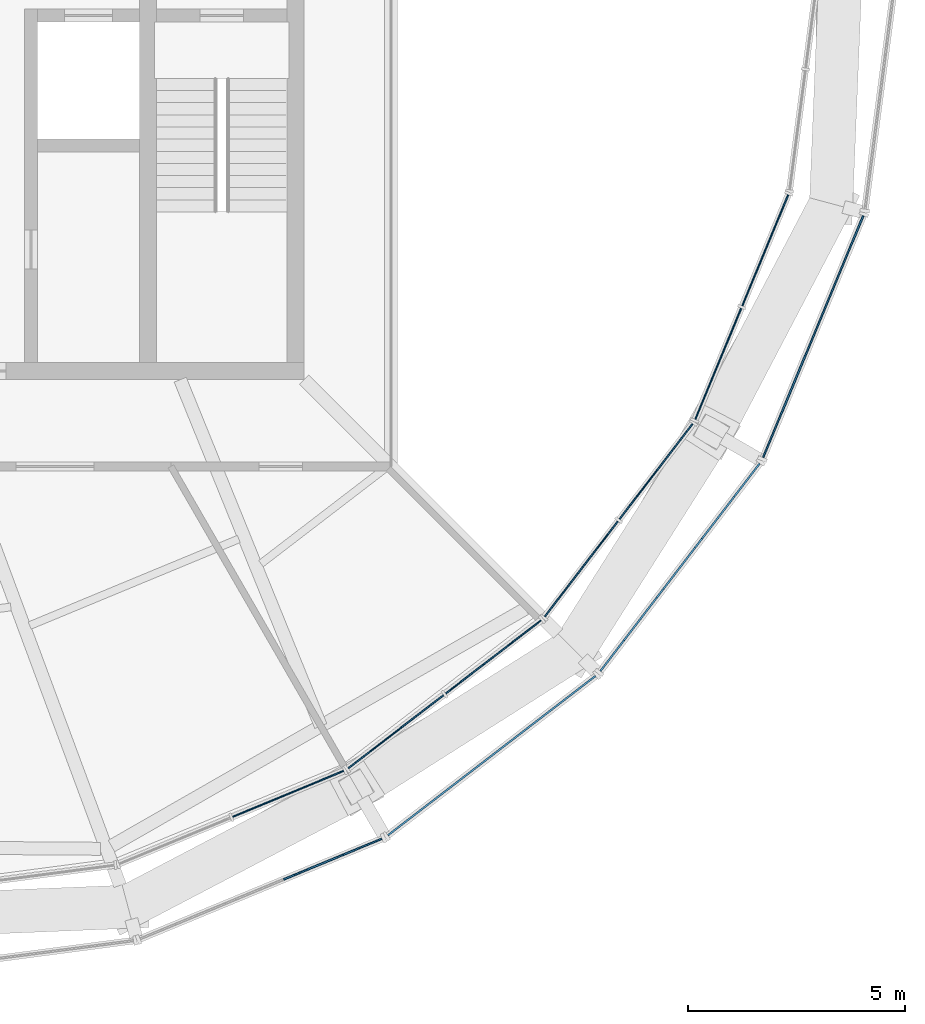
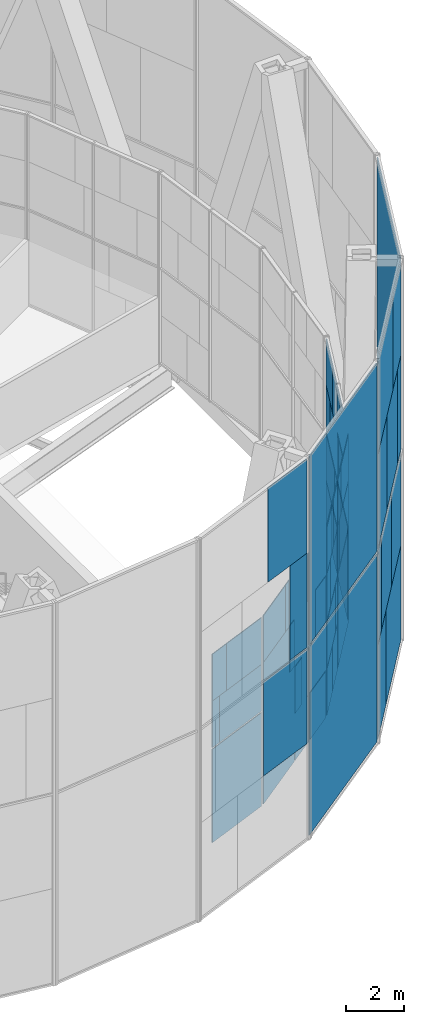
# One storey, part 14 of 22: 61 plates, 8 elements without a shape of their own.
"""IFC4 building model written with IfcOpenShell, lengths in metres."""

import ifcopenshell
import ifcopenshell.guid

model = None  # the IFC model being written
_history = None  # IfcOwnerHistory: only IFC2X3 demands one
_inside = {}  # id of a spatial element -> (the spatial element, [elements in it])
_under = {}  # id of a project, library or spatial element -> (it, [spatial elements below it])
_declared = {}  # id of a project -> (the project, [libraries it declares])
_typed = {}  # id of a type object -> (the type object, [elements of that type])
_made_of = {}  # id of a material, layer set ... -> (it, [elements and type objects made of it])


def new_model(schema):
    """Start an empty IFC model of exactly this schema.

    Asked for "IFC4X3", IfcOpenShell would pick the latest addendum, in which some entities
    have other attributes; the version numbers below select the first issue.
    IFC2X3 requires an IfcOwnerHistory on every rooted entity: one is made here for all.
    """
    global model, _history
    if schema == "IFC4X3":
        model = ifcopenshell.file(schema_version=(4, 3, 0, 0))
    else:
        model = ifcopenshell.file(schema=schema)
    _inside.clear()
    _under.clear()
    _declared.clear()
    _typed.clear()
    _made_of.clear()
    _history = None
    if model.schema == "IFC2X3":
        org = make("IfcOrganization", Name="unknown")
        user = make(
            "IfcPersonAndOrganization",
            ThePerson=make("IfcPerson", FamilyName="unknown"),
            TheOrganization=org,
        )
        app = make(
            "IfcApplication",
            ApplicationDeveloper=org,
            Version="unknown",
            ApplicationFullName="unknown",
            ApplicationIdentifier="unknown",
        )
        _history = make(
            "IfcOwnerHistory",
            OwningUser=user,
            OwningApplication=app,
            ChangeAction="ADDED",
            CreationDate=0,
        )
    return model


def make(cls, **values):
    """One entity of the class cls with the attributes given. An attribute that is None is left unset."""
    return model.create_entity(
        cls, **{name: value for name, value in values.items() if value is not None}
    )


def rooted(cls, **values):
    """An entity with a GlobalId (a new one), such as an element, a storey or a relation."""
    return make(cls, GlobalId=ifcopenshell.guid.new(), OwnerHistory=_history, **values)


def si_unit(unit_type, name, prefix=None):
    """IfcSIUnit, for example si_unit("LENGTHUNIT", "METRE", prefix="MILLI")."""
    return make("IfcSIUnit", UnitType=unit_type, Prefix=prefix, Name=name)


def assignment(units):
    """IfcUnitAssignment: the units of a project."""
    return None if units is None else make("IfcUnitAssignment", Units=units)


def point(xyz):
    """IfcCartesianPoint."""
    return None if xyz is None else make("IfcCartesianPoint", Coordinates=xyz)


def direction(xyz):
    """IfcDirection."""
    return None if xyz is None else make("IfcDirection", DirectionRatios=xyz)


def frame(location, z_axis=None, x_axis=None):
    """IfcAxis2Placement3D, a coordinate frame: its origin and axes. An axis left out is left unset."""
    return make(
        "IfcAxis2Placement3D",
        Location=point(location),
        Axis=direction(z_axis),
        RefDirection=direction(x_axis),
    )


def frame_2d(location, x_axis=None):
    """IfcAxis2Placement2D, a coordinate frame in the plane: its origin and x axis."""
    return make(
        "IfcAxis2Placement2D", Location=point(location), RefDirection=direction(x_axis)
    )


def origin():
    """The frame at (0, 0, 0) with its axes left unset."""
    return frame((0.0, 0.0, 0.0))


def origin_2d():
    """The frame at (0, 0) in the plane with its x axis left unset."""
    return frame_2d((0.0, 0.0))


def place(relative_to, where):
    """IfcLocalPlacement: puts the frame where relative to a parent placement (None: the world)."""
    return make(
        "IfcLocalPlacement", PlacementRelTo=relative_to, RelativePlacement=where
    )


def context(
    kind, dimensions, precision=None, world=None, true_north=None, identifier=None
):
    """IfcGeometricRepresentationContext, for example the 3D "Model" context."""
    return make(
        "IfcGeometricRepresentationContext",
        ContextIdentifier=identifier,
        ContextType=kind,
        CoordinateSpaceDimension=dimensions,
        Precision=precision,
        WorldCoordinateSystem=world,
        TrueNorth=true_north,
    )


def subcontext(parent, identifier, kind, view, scale=None):
    """IfcGeometricRepresentationSubContext, for example "Body" below "Model"."""
    return make(
        "IfcGeometricRepresentationSubContext",
        ContextIdentifier=identifier,
        ContextType=kind,
        ParentContext=parent,
        TargetScale=scale,
        TargetView=view,
    )


def project(units=None, contexts=None):
    """IfcProject with its units and contexts."""
    return rooted(
        "IfcProject",
        Name="project",
        RepresentationContexts=contexts,
        UnitsInContext=assignment(units),
    )


def spatial(cls, under=None, at=None, **own):
    """A site, building, storey or space (cls), placed at a placement, below another one or the project."""
    s = rooted(cls, ObjectPlacement=at, **own)
    if under is not None:
        _under.setdefault(under.id(), (under, []))[1].append(s)
    return s


def profile(cls, at=None, kind="AREA", **sizes):
    """A parametric profile (cls). Its sizes go by their IFC names, for example OverallWidth=200.0."""
    return make(cls, ProfileType=kind, Position=at, **sizes)


def rectangle(**sizes):
    """IfcRectangleProfileDef."""
    return profile("IfcRectangleProfileDef", **sizes)


def extrude(swept, where, along, depth):
    """IfcExtrudedAreaSolid: the profile swept, set in the frame where, extruded along a direction by depth."""
    return make(
        "IfcExtrudedAreaSolid",
        SweptArea=swept,
        Position=where,
        ExtrudedDirection=direction(along),
        Depth=depth,
    )


def shape(context_of_items, identifier, shape_type, items):
    """IfcShapeRepresentation: the items that make up one representation, for example the "Body"."""
    return make(
        "IfcShapeRepresentation",
        ContextOfItems=context_of_items,
        RepresentationIdentifier=identifier,
        RepresentationType=shape_type,
        Items=items,
    )


def material(Name=None, Category=None):
    """IfcMaterial."""
    return make("IfcMaterial", Name=Name, Category=Category)


def layer(
    of_material, thickness, ventilated=None, Name=None, Category=None, Priority=None
):
    """IfcMaterialLayer: one layer of a wall or slab, of a material (None: an air gap)."""
    return make(
        "IfcMaterialLayer",
        Material=of_material,
        LayerThickness=thickness,
        IsVentilated=ventilated,
        Name=Name,
        Category=Category,
        Priority=Priority,
    )


def layer_set(layers, Name=None):
    """IfcMaterialLayerSet."""
    return make("IfcMaterialLayerSet", MaterialLayers=layers, LayerSetName=Name)


def made_of(thing, what):
    """Note that an element or type object is made of a material, layer set ...; save() writes the relation."""
    if what is not None:
        _made_of.setdefault(what.id(), (what, []))[1].append(thing)
    return thing


def type_object(cls, material=None, **own):
    """A type object (cls), such as IfcWallType, which elements share."""
    return made_of(rooted(cls, **own), material)


def element(
    cls,
    number,
    at=None,
    inside=None,
    cuts=None,
    type_object=None,
    material=None,
    context=None,
    identifier="Body",
    shape_type=None,
    held_by="IfcProductDefinitionShape",
    body=None,
    shapes=None,
    **own,
):
    """One element of the class cls, such as IfcWall. Its Tag is "e" and its number.

    at: its placement. inside: the storey or other place that contains it. cuts: it is an
    opening in that element (IfcRelVoidsElement). A single representation is given by context,
    identifier, shape_type and body (its items); several are given by shapes. held_by: the class
    of the entity that holds the representations. save() writes the other relations.
    """
    e = rooted(cls, Tag="e%d" % number, ObjectPlacement=at, **own)
    if body is not None:
        shapes = [shape(context, identifier, shape_type, body)]
    if shapes is not None:
        e.Representation = make(held_by, Representations=shapes)
    if inside is not None:
        _inside.setdefault(inside.id(), (inside, []))[1].append(e)
    if cuts is not None:
        rooted(
            "IfcRelVoidsElement", RelatingBuildingElement=cuts, RelatedOpeningElement=e
        )
    if type_object is not None:
        _typed.setdefault(type_object.id(), (type_object, []))[1].append(e)
    return made_of(e, material)


def aggregate(whole, parts):
    """IfcRelAggregates: a whole, such as a stair, and the parts it consists of."""
    return rooted("IfcRelAggregates", RelatingObject=whole, RelatedObjects=parts)


def save(model, path):
    """Write the relations noted so far, then the file.

    IfcRelAggregates (storeys below a building ...), IfcRelContainedInSpatialStructure (elements
    in a storey), IfcRelDefinesByType, IfcRelAssociatesMaterial and IfcRelDeclares: one each for
    every whole, place, type object, material and project.
    """
    for whole, parts in _under.values():
        aggregate(whole, parts)
    for where, things in _inside.values():
        rooted(
            "IfcRelContainedInSpatialStructure",
            RelatedElements=things,
            RelatingStructure=where,
        )
    for kind, things in _typed.values():
        rooted("IfcRelDefinesByType", RelatedObjects=things, RelatingType=kind)
    for what, things in _made_of.values():
        rooted("IfcRelAssociatesMaterial", RelatedObjects=things, RelatingMaterial=what)
    for by, libraries in _declared.values():
        rooted("IfcRelDeclares", RelatingContext=by, RelatedDefinitions=libraries)
    model.write(path)


model = new_model("IFC4")

# Units and contexts
model_context = context("Model", 3, precision=1e-05, world=origin(), true_north=direction((0.0, 1.0)))
body_context = subcontext(model_context, "Body", "Model", "MODEL_VIEW")
ifc_project = project(units=[si_unit("LENGTHUNIT", "METRE"), si_unit("AREAUNIT", "SQUARE_METRE"), si_unit("VOLUMEUNIT", "CUBIC_METRE"), si_unit("PLANEANGLEUNIT", "RADIAN"), si_unit("MASSUNIT", "GRAM", prefix="KILO")], contexts=[model_context])

# Site, building, storey
site_placement = place(None, origin())
site = spatial("IfcSite", under=ifc_project, at=site_placement, CompositionType="ELEMENT")
building_placement = place(site_placement, origin())
building = spatial("IfcBuilding", under=site, at=building_placement, Name="Golbaran Civic Tower", CompositionType="ELEMENT")
storey_placement = place(building_placement, frame((0.0, 0.0, 264.0)))
storey = spatial("IfcBuildingStorey", under=building, at=storey_placement, Name="L64", CompositionType="ELEMENT", Elevation=264.0)

# Curtain wall, plates
ifc_material_1 = material(Name="Aluminium and glass", Category="aluminium")
curtain_wall_type_1 = type_object("IfcCurtainWallType", Name="INNER SKIN CURTAIN WALL EXECUTIVE", PredefinedType="NOTDEFINED", material=ifc_material_1)
curtain_wall_1_placement = place(storey_placement, origin())
curtain_wall_1 = element("IfcCurtainWall", 1, at=curtain_wall_1_placement, inside=storey, type_object=curtain_wall_type_1, Name="Inner skin L64 facet 20 CW2", ObjectType="INNER SKIN", PredefinedType="USERDEFINED")
ifc_material_2 = material(Name="Clear insulating glass", Category="glass")
ifc_layer_1 = layer(ifc_material_2, 0.031982421875, Name="Clear insulating glass")
ifc_layer_set_1 = layer_set([ifc_layer_1], Name="Clear insulating glass")
plate_type_1 = type_object("IfcPlateType", Name="INNER SKIN CURTAIN WALL EXECUTIVE GLAZED PANEL", PredefinedType="CURTAIN_PANEL", material=ifc_layer_set_1)
plate_1_placement = place(storey_placement, frame((9.6328125, -19.553466796875, 0.06005859375), z_axis=(0.0, 0.0, 1.0), x_axis=(0.923879532518, 0.382683432349, 0.0)))
plate_1 = element("IfcPlate", 2, at=plate_1_placement, type_object=plate_type_1, Name="CW2 panel 2.1", PredefinedType="CURTAIN_PANEL", context=body_context, shape_type="SweptSolid", body=[
    extrude(rectangle(XDim=2.773681640625, YDim=0.031982421875, at=origin_2d()), origin(), (0.0, 0.0, 1.0), 3.909912109375),
])
plate_2_placement = place(storey_placement, frame((9.818115234375, -19.4765625, 4.030029296875), z_axis=(0.0, 0.0, 1.0), x_axis=(0.923879532518, 0.382683432349, 0.0)))
plate_2 = element("IfcPlate", 3, at=plate_2_placement, type_object=plate_type_1, Name="CW2 panel 2.2 part 2", PredefinedType="CURTAIN_PANEL", context=body_context, shape_type="SweptSolid", body=[
    extrude(rectangle(XDim=2.37255859375, YDim=0.031982421875, at=origin_2d()), origin(), (0.0, 0.0, 1.0), 1.955078125),
])
plate_3_placement = place(storey_placement, frame((9.998779296875, -19.40185546875, 5.98486328125), z_axis=(0.0, 0.0, 1.0), x_axis=(0.923879532518, 0.382683432349, 0.0)))
plate_3 = element("IfcPlate", 4, at=plate_3_placement, type_object=plate_type_1, Name="CW2 panel 2.2 part 4", PredefinedType="CURTAIN_PANEL", context=body_context, shape_type="SweptSolid", body=[
    extrude(rectangle(XDim=1.981689453125, YDim=0.031982421875, at=origin_2d()), origin(), (0.0, 0.0, 1.0), 1.955078125),
])

curtain_wall_2_placement = place(storey_placement, origin())
curtain_wall_2 = element("IfcCurtainWall", 5, at=curtain_wall_2_placement, inside=storey, type_object=curtain_wall_type_1, Name="Inner skin L64 facet 21 CW2", ObjectType="INNER SKIN", PredefinedType="USERDEFINED")
plate_4_placement = place(storey_placement, frame((12.117431640625, -18.118896484375, 0.06005859375), z_axis=(0.0, 0.0, 1.0), x_axis=(0.793353340196, 0.608761429133, 0.0)))
plate_4 = element("IfcPlate", 6, at=plate_4_placement, type_object=plate_type_1, Name="CW2 panel 1.1", PredefinedType="CURTAIN_PANEL", context=body_context, shape_type="SweptSolid", body=[
    extrude(rectangle(XDim=2.773681640625, YDim=0.031982421875, at=origin_2d()), origin(), (0.0, 0.0, 1.0), 3.909912109375),
])
plate_5_placement = place(storey_placement, frame((11.9580078125, -18.2412109375, 4.030029296875), z_axis=(0.0, 0.0, 1.0), x_axis=(0.793353340196, 0.608761429133, 0.0)))
plate_5 = element("IfcPlate", 7, at=plate_5_placement, type_object=plate_type_1, Name="CW2 panel 1.2 part 1", PredefinedType="CURTAIN_PANEL", context=body_context, shape_type="SweptSolid", body=[
    extrude(rectangle(XDim=2.3720703125, YDim=0.031982421875, at=origin_2d()), origin(), (0.0, 0.0, 1.0), 1.955078125),
])
plate_6_placement = place(storey_placement, frame((11.80322265625, -18.35986328125, 5.98486328125), z_axis=(0.0, 0.0, 1.0), x_axis=(0.793353340196, 0.608761429133, 0.0)))
plate_6 = element("IfcPlate", 8, at=plate_6_placement, type_object=plate_type_1, Name="CW2 panel 1.2 part 3", PredefinedType="CURTAIN_PANEL", context=body_context, shape_type="SweptSolid", body=[
    extrude(rectangle(XDim=1.98193359375, YDim=0.031982421875, at=origin_2d()), origin(), (0.0, 0.0, 1.0), 1.955078125),
])
plate_7_placement = place(storey_placement, frame((13.796630859375, -16.830322265625, 0.06005859375), z_axis=(0.0, 0.0, 1.0), x_axis=(0.793353340196, 0.608761429133, 0.0)))
plate_7 = element("IfcPlate", 9, at=plate_7_placement, type_object=plate_type_1, Name="CW2 panel 2.1 part 1", PredefinedType="CURTAIN_PANEL", context=body_context, shape_type="SweptSolid", body=[
    extrude(rectangle(XDim=1.340087890625, YDim=0.031982421875, at=origin_2d()), origin(), (0.0, 0.0, 1.0), 1.955078125),
])
plate_8_placement = place(storey_placement, frame((13.509521484375, -17.05078125, 2.014892578125), z_axis=(0.0, 0.0, 1.0), x_axis=(0.793353340196, 0.608761429133, 0.0)))
plate_8 = element("IfcPlate", 10, at=plate_8_placement, type_object=plate_type_1, Name="CW2 panel 2.1 part 3", PredefinedType="CURTAIN_PANEL", context=body_context, shape_type="SweptSolid", body=[
    extrude(rectangle(XDim=0.615966796875, YDim=0.031982421875, at=origin_2d()), origin(), (0.0, 0.0, 1.0), 1.955078125),
])
plate_9_placement = place(storey_placement, frame((15.090087890625, -15.837890625, 4.030029296875), z_axis=(0.0, 0.0, 1.0), x_axis=(0.793353340196, 0.608761429133, 0.0)))
plate_9 = element("IfcPlate", 11, at=plate_9_placement, type_object=plate_type_1, Name="CW2 panel 2.2 part 2", PredefinedType="CURTAIN_PANEL", context=body_context, shape_type="SweptSolid", body=[
    extrude(rectangle(XDim=0.946533203125, YDim=0.031982421875, at=origin_2d()), origin(), (0.0, 0.0, 1.0), 1.955078125),
])
plate_10_placement = place(storey_placement, frame((14.80322265625, -16.057861328125, 5.98486328125), z_axis=(0.0, 0.0, 1.0), x_axis=(0.793353340196, 0.608761429133, 0.0)))
plate_10 = element("IfcPlate", 12, at=plate_10_placement, type_object=plate_type_1, Name="CW2 panel 2.2 part 4", PredefinedType="CURTAIN_PANEL", context=body_context, shape_type="SweptSolid", body=[
    extrude(rectangle(XDim=1.669677734375, YDim=0.031982421875, at=origin_2d()), origin(), (0.0, 0.0, 1.0), 1.955078125),
])

curtain_wall_3_placement = place(storey_placement, origin())
curtain_wall_3 = element("IfcCurtainWall", 13, at=curtain_wall_3_placement, inside=storey, type_object=curtain_wall_type_1, Name="Inner skin L64 facet 22 CW2", ObjectType="INNER SKIN", PredefinedType="USERDEFINED")
plate_11_placement = place(storey_placement, frame((16.83056640625, -13.796630859375, 0.06005859375), z_axis=(0.0, 0.0, 1.0), x_axis=(0.608761429133, 0.793353340196, 0.0)))
plate_11 = element("IfcPlate", 14, at=plate_11_placement, type_object=plate_type_1, Name="CW2 panel 1.1 part 2", PredefinedType="CURTAIN_PANEL", context=body_context, shape_type="SweptSolid", body=[
    extrude(rectangle(XDim=1.339599609375, YDim=0.031982421875, at=origin_2d()), origin(), (0.0, 0.0, 1.0), 1.955078125),
])
plate_12_placement = place(storey_placement, frame((17.050537109375, -13.509765625, 2.014892578125), z_axis=(0.0, 0.0, 1.0), x_axis=(0.608761429133, 0.793353340196, 0.0)))
plate_12 = element("IfcPlate", 15, at=plate_12_placement, type_object=plate_type_1, Name="CW2 panel 1.1 part 4", PredefinedType="CURTAIN_PANEL", context=body_context, shape_type="SweptSolid", body=[
    extrude(rectangle(XDim=0.61669921875, YDim=0.031982421875, at=origin_2d()), origin(), (0.0, 0.0, 1.0), 1.955078125),
])
plate_13_placement = place(storey_placement, frame((15.837646484375, -15.09033203125, 4.030029296875), z_axis=(0.0, 0.0, 1.0), x_axis=(0.608761429133, 0.793353340196, 0.0)))
plate_13 = element("IfcPlate", 16, at=plate_13_placement, type_object=plate_type_1, Name="CW2 panel 1.2 part 1", PredefinedType="CURTAIN_PANEL", context=body_context, shape_type="SweptSolid", body=[
    extrude(rectangle(XDim=0.946044921875, YDim=0.031982421875, at=origin_2d()), origin(), (0.0, 0.0, 1.0), 1.955078125),
])
plate_14_placement = place(storey_placement, frame((16.057861328125, -14.803466796875, 5.98486328125), z_axis=(0.0, 0.0, 1.0), x_axis=(0.608761429133, 0.793353340196, 0.0)))
plate_14 = element("IfcPlate", 17, at=plate_14_placement, type_object=plate_type_1, Name="CW2 panel 1.2 part 3", PredefinedType="CURTAIN_PANEL", context=body_context, shape_type="SweptSolid", body=[
    extrude(rectangle(XDim=1.6689453125, YDim=0.031982421875, at=origin_2d()), origin(), (0.0, 0.0, 1.0), 1.955078125),
])
plate_15_placement = place(storey_placement, frame((18.118896484375, -12.117431640625, 0.06005859375), z_axis=(0.0, 0.0, 1.0), x_axis=(0.608761429133, 0.793353340196, 0.0)))
plate_15 = element("IfcPlate", 18, at=plate_15_placement, type_object=plate_type_1, Name="CW2 panel 2.1", PredefinedType="CURTAIN_PANEL", context=body_context, shape_type="SweptSolid", body=[
    extrude(rectangle(XDim=2.773681640625, YDim=0.031982421875, at=origin_2d()), origin(), (0.0, 0.0, 1.0), 3.909912109375),
])
plate_16_placement = place(storey_placement, frame((18.240966796875, -11.958251953125, 4.030029296875), z_axis=(0.0, 0.0, 1.0), x_axis=(0.608761429133, 0.793353340196, 0.0)))
plate_16 = element("IfcPlate", 19, at=plate_16_placement, type_object=plate_type_1, Name="CW2 panel 2.2 part 2", PredefinedType="CURTAIN_PANEL", context=body_context, shape_type="SweptSolid", body=[
    extrude(rectangle(XDim=2.37255859375, YDim=0.031982421875, at=origin_2d()), origin(), (0.0, 0.0, 1.0), 1.955078125),
])
plate_17_placement = place(storey_placement, frame((18.360107421875, -11.80322265625, 5.98486328125), z_axis=(0.0, 0.0, 1.0), x_axis=(0.608761429133, 0.793353340196, 0.0)))
plate_17 = element("IfcPlate", 20, at=plate_17_placement, type_object=plate_type_1, Name="CW2 panel 2.2 part 4", PredefinedType="CURTAIN_PANEL", context=body_context, shape_type="SweptSolid", body=[
    extrude(rectangle(XDim=1.981689453125, YDim=0.031982421875, at=origin_2d()), origin(), (0.0, 0.0, 1.0), 1.955078125),
])

curtain_wall_4_placement = place(storey_placement, origin())
curtain_wall_4 = element("IfcCurtainWall", 21, at=curtain_wall_4_placement, inside=storey, type_object=curtain_wall_type_1, Name="Inner skin L64 facet 23 CW2", ObjectType="INNER SKIN", PredefinedType="USERDEFINED")
plate_18_placement = place(storey_placement, frame((19.553466796875, -9.6328125, 0.06005859375), z_axis=(0.0, 0.0, 1.0), x_axis=(0.382683432349, 0.923879532518, 0.0)))
plate_18 = element("IfcPlate", 22, at=plate_18_placement, type_object=plate_type_1, Name="CW2 panel 1.1", PredefinedType="CURTAIN_PANEL", context=body_context, shape_type="SweptSolid", body=[
    extrude(rectangle(XDim=2.773681640625, YDim=0.031982421875, at=origin_2d()), origin(), (0.0, 0.0, 1.0), 3.909912109375),
])
plate_19_placement = place(storey_placement, frame((19.4765625, -9.818359375, 4.030029296875), z_axis=(0.0, 0.0, 1.0), x_axis=(0.382683432349, 0.923879532518, 0.0)))
plate_19 = element("IfcPlate", 23, at=plate_19_placement, type_object=plate_type_1, Name="CW2 panel 1.2 part 1", PredefinedType="CURTAIN_PANEL", context=body_context, shape_type="SweptSolid", body=[
    extrude(rectangle(XDim=2.3720703125, YDim=0.031982421875, at=origin_2d()), origin(), (0.0, 0.0, 1.0), 1.955078125),
])
plate_20_placement = place(storey_placement, frame((19.40185546875, -9.99853515625, 5.98486328125), z_axis=(0.0, 0.0, 1.0), x_axis=(0.382683432349, 0.923879532518, 0.0)))
plate_20 = element("IfcPlate", 24, at=plate_20_placement, type_object=plate_type_1, Name="CW2 panel 1.2 part 3", PredefinedType="CURTAIN_PANEL", context=body_context, shape_type="SweptSolid", body=[
    extrude(rectangle(XDim=1.98193359375, YDim=0.031982421875, at=origin_2d()), origin(), (0.0, 0.0, 1.0), 1.955078125),
])
plate_21_placement = place(storey_placement, frame((20.363525390625, -7.67724609375, 0.06005859375), z_axis=(0.0, 0.0, 1.0), x_axis=(0.382683432349, 0.923879532518, 0.0)))
plate_21 = element("IfcPlate", 25, at=plate_21_placement, type_object=plate_type_1, Name="CW2 panel 2.1 part 1", PredefinedType="CURTAIN_PANEL", context=body_context, shape_type="SweptSolid", body=[
    extrude(rectangle(XDim=1.340087890625, YDim=0.031982421875, at=origin_2d()), origin(), (0.0, 0.0, 1.0), 1.955078125),
])
plate_22_placement = place(storey_placement, frame((20.224853515625, -8.011474609375, 2.014892578125), z_axis=(0.0, 0.0, 1.0), x_axis=(0.382683432349, 0.923879532518, 0.0)))
plate_22 = element("IfcPlate", 26, at=plate_22_placement, type_object=plate_type_1, Name="CW2 panel 2.1 part 3", PredefinedType="CURTAIN_PANEL", context=body_context, shape_type="SweptSolid", body=[
    extrude(rectangle(XDim=0.615966796875, YDim=0.031982421875, at=origin_2d()), origin(), (0.0, 0.0, 1.0), 1.955078125),
])
plate_23_placement = place(storey_placement, frame((20.9873046875, -6.1708984375, 4.030029296875), z_axis=(0.0, 0.0, 1.0), x_axis=(0.382683432349, 0.923879532518, 0.0)))
plate_23 = element("IfcPlate", 27, at=plate_23_placement, type_object=plate_type_1, Name="CW2 panel 2.2 part 2", PredefinedType="CURTAIN_PANEL", context=body_context, shape_type="SweptSolid", body=[
    extrude(rectangle(XDim=0.946533203125, YDim=0.031982421875, at=origin_2d()), origin(), (0.0, 0.0, 1.0), 1.955078125),
])
plate_24_placement = place(storey_placement, frame((20.84912109375, -6.5048828125, 5.98486328125), z_axis=(0.0, 0.0, 1.0), x_axis=(0.382683432349, 0.923879532518, 0.0)))
plate_24 = element("IfcPlate", 28, at=plate_24_placement, type_object=plate_type_1, Name="CW2 panel 2.2 part 4", PredefinedType="CURTAIN_PANEL", context=body_context, shape_type="SweptSolid", body=[
    extrude(rectangle(XDim=1.669677734375, YDim=0.031982421875, at=origin_2d()), origin(), (0.0, 0.0, 1.0), 1.955078125),
])

# Plate
ifc_material_3 = material(Name="Aluminium faced opaque infill panel", Category="aluminium")
ifc_layer_2 = layer(ifc_material_3, 0.031982421875, Name="Aluminium faced opaque infill panel")
ifc_layer_set_2 = layer_set([ifc_layer_2], Name="Aluminium faced opaque infill panel")
plate_type_2 = type_object("IfcPlateType", Name="INNER SKIN CURTAIN WALL EXECUTIVE OPAQUE INFILL PANEL", PredefinedType="CURTAIN_PANEL", material=ifc_layer_set_2)
plate_25_placement = place(storey_placement, frame((8.536865234375, -20.00732421875, 4.030029296875), z_axis=(0.0, 0.0, 1.0), x_axis=(0.923879532518, 0.382683432349, 0.0)))
plate_25 = element("IfcPlate", 29, at=plate_25_placement, type_object=plate_type_2, Name="CW2 infill panel 2.2 part 1", PredefinedType="CURTAIN_PANEL", context=body_context, shape_type="SweptSolid", body=[
    extrude(rectangle(XDim=0.40087890625, YDim=0.031982421875, at=origin_2d()), origin(), (0.0, 0.0, 1.0), 1.955078125),
])

plate_26_placement = place(storey_placement, frame((8.717529296875, -19.9326171875, 5.98486328125), z_axis=(0.0, 0.0, 1.0), x_axis=(0.923879532518, 0.382683432349, 0.0)))
plate_26 = element("IfcPlate", 30, at=plate_26_placement, type_object=plate_type_2, Name="CW2 infill panel 2.2 part 3", PredefinedType="CURTAIN_PANEL", context=body_context, shape_type="SweptSolid", body=[
    extrude(rectangle(XDim=0.7919921875, YDim=0.031982421875, at=origin_2d()), origin(), (0.0, 0.0, 1.0), 1.955078125),
])

aggregate(curtain_wall_1, [plate_1, plate_25, plate_2, plate_26, plate_3])

plate_27_placement = place(storey_placement, frame((13.058349609375, -17.39697265625, 4.030029296875), z_axis=(0.0, 0.0, 1.0), x_axis=(0.793353340196, 0.608761429133, 0.0)))
plate_27 = element("IfcPlate", 31, at=plate_27_placement, type_object=plate_type_2, Name="CW2 infill panel 1.2 part 2", PredefinedType="CURTAIN_PANEL", context=body_context, shape_type="SweptSolid", body=[
    extrude(rectangle(XDim=0.401611328125, YDim=0.031982421875, at=origin_2d()), origin(), (0.0, 0.0, 1.0), 1.955078125),
])

plate_28_placement = place(storey_placement, frame((12.903564453125, -17.515625, 5.98486328125), z_axis=(0.0, 0.0, 1.0), x_axis=(0.793353340196, 0.608761429133, 0.0)))
plate_28 = element("IfcPlate", 32, at=plate_28_placement, type_object=plate_type_2, Name="CW2 infill panel 1.2 part 4", PredefinedType="CURTAIN_PANEL", context=body_context, shape_type="SweptSolid", body=[
    extrude(rectangle(XDim=0.79150390625, YDim=0.031982421875, at=origin_2d()), origin(), (0.0, 0.0, 1.0), 1.955078125),
])

plate_29_placement = place(storey_placement, frame((14.89697265625, -15.986083984375, 0.06005859375), z_axis=(0.0, 0.0, 1.0), x_axis=(0.793353340196, 0.608761429133, 0.0)))
plate_29 = element("IfcPlate", 33, at=plate_29_placement, type_object=plate_type_2, Name="CW2 infill panel 2.1 part 2", PredefinedType="CURTAIN_PANEL", context=body_context, shape_type="SweptSolid", body=[
    extrude(rectangle(XDim=1.43359375, YDim=0.031982421875, at=origin_2d()), origin(), (0.0, 0.0, 1.0), 1.955078125),
])

plate_30_placement = place(storey_placement, frame((14.609619140625, -16.20654296875, 2.014892578125), z_axis=(0.0, 0.0, 1.0), x_axis=(0.793353340196, 0.608761429133, 0.0)))
plate_30 = element("IfcPlate", 34, at=plate_30_placement, type_object=plate_type_2, Name="CW2 infill panel 2.1 part 4", PredefinedType="CURTAIN_PANEL", context=body_context, shape_type="SweptSolid", body=[
    extrude(rectangle(XDim=2.15771484375, YDim=0.031982421875, at=origin_2d()), origin(), (0.0, 0.0, 1.0), 1.955078125),
])

plate_31_placement = place(storey_placement, frame((13.989990234375, -16.68212890625, 4.030029296875), z_axis=(0.0, 0.0, 1.0), x_axis=(0.793353340196, 0.608761429133, 0.0)))
plate_31 = element("IfcPlate", 35, at=plate_31_placement, type_object=plate_type_2, Name="CW2 infill panel 2.2 part 1", PredefinedType="CURTAIN_PANEL", context=body_context, shape_type="SweptSolid", body=[
    extrude(rectangle(XDim=1.826904296875, YDim=0.031982421875, at=origin_2d()), origin(), (0.0, 0.0, 1.0), 1.955078125),
])

plate_32_placement = place(storey_placement, frame((13.703125, -16.902099609375, 5.98486328125), z_axis=(0.0, 0.0, 1.0), x_axis=(0.793353340196, 0.608761429133, 0.0)))
plate_32 = element("IfcPlate", 36, at=plate_32_placement, type_object=plate_type_2, Name="CW2 infill panel 2.2 part 3", PredefinedType="CURTAIN_PANEL", context=body_context, shape_type="SweptSolid", body=[
    extrude(rectangle(XDim=1.10400390625, YDim=0.031982421875, at=origin_2d()), origin(), (0.0, 0.0, 1.0), 1.955078125),
])

aggregate(curtain_wall_2, [plate_4, plate_5, plate_27, plate_6, plate_28, plate_7, plate_29, plate_8, plate_30, plate_31, plate_9, plate_32, plate_10])

plate_33_placement = place(storey_placement, frame((15.986328125, -14.896728515625, 0.06005859375), z_axis=(0.0, 0.0, 1.0), x_axis=(0.608761429133, 0.793353340196, 0.0)))
plate_33 = element("IfcPlate", 37, at=plate_33_placement, type_object=plate_type_2, Name="CW2 infill panel 1.1 part 1", PredefinedType="CURTAIN_PANEL", context=body_context, shape_type="SweptSolid", body=[
    extrude(rectangle(XDim=1.43408203125, YDim=0.031982421875, at=origin_2d()), origin(), (0.0, 0.0, 1.0), 1.955078125),
])

plate_34_placement = place(storey_placement, frame((16.206298828125, -14.60986328125, 2.014892578125), z_axis=(0.0, 0.0, 1.0), x_axis=(0.608761429133, 0.793353340196, 0.0)))
plate_34 = element("IfcPlate", 38, at=plate_34_placement, type_object=plate_type_2, Name="CW2 infill panel 1.1 part 3", PredefinedType="CURTAIN_PANEL", context=body_context, shape_type="SweptSolid", body=[
    extrude(rectangle(XDim=2.156982421875, YDim=0.031982421875, at=origin_2d()), origin(), (0.0, 0.0, 1.0), 1.955078125),
])

plate_35_placement = place(storey_placement, frame((16.681884765625, -13.990234375, 4.030029296875), z_axis=(0.0, 0.0, 1.0), x_axis=(0.608761429133, 0.793353340196, 0.0)))
plate_35 = element("IfcPlate", 39, at=plate_35_placement, type_object=plate_type_2, Name="CW2 infill panel 1.2 part 2", PredefinedType="CURTAIN_PANEL", context=body_context, shape_type="SweptSolid", body=[
    extrude(rectangle(XDim=1.82763671875, YDim=0.031982421875, at=origin_2d()), origin(), (0.0, 0.0, 1.0), 1.955078125),
])

plate_36_placement = place(storey_placement, frame((16.902099609375, -13.703369140625, 5.98486328125), z_axis=(0.0, 0.0, 1.0), x_axis=(0.608761429133, 0.793353340196, 0.0)))
plate_36 = element("IfcPlate", 40, at=plate_36_placement, type_object=plate_type_2, Name="CW2 infill panel 1.2 part 4", PredefinedType="CURTAIN_PANEL", context=body_context, shape_type="SweptSolid", body=[
    extrude(rectangle(XDim=1.1044921875, YDim=0.031982421875, at=origin_2d()), origin(), (0.0, 0.0, 1.0), 1.955078125),
])

plate_37_placement = place(storey_placement, frame((17.396728515625, -13.05859375, 4.030029296875), z_axis=(0.0, 0.0, 1.0), x_axis=(0.608761429133, 0.793353340196, 0.0)))
plate_37 = element("IfcPlate", 41, at=plate_37_placement, type_object=plate_type_2, Name="CW2 infill panel 2.2 part 1", PredefinedType="CURTAIN_PANEL", context=body_context, shape_type="SweptSolid", body=[
    extrude(rectangle(XDim=0.40087890625, YDim=0.031982421875, at=origin_2d()), origin(), (0.0, 0.0, 1.0), 1.955078125),
])

plate_38_placement = place(storey_placement, frame((17.515869140625, -12.9033203125, 5.98486328125), z_axis=(0.0, 0.0, 1.0), x_axis=(0.608761429133, 0.793353340196, 0.0)))
plate_38 = element("IfcPlate", 42, at=plate_38_placement, type_object=plate_type_2, Name="CW2 infill panel 2.2 part 3", PredefinedType="CURTAIN_PANEL", context=body_context, shape_type="SweptSolid", body=[
    extrude(rectangle(XDim=0.7919921875, YDim=0.031982421875, at=origin_2d()), origin(), (0.0, 0.0, 1.0), 1.955078125),
])

aggregate(curtain_wall_3, [plate_33, plate_11, plate_34, plate_12, plate_13, plate_35, plate_14, plate_36, plate_15, plate_37, plate_16, plate_38, plate_17])

plate_39_placement = place(storey_placement, frame((20.00732421875, -8.537109375, 4.030029296875), z_axis=(0.0, 0.0, 1.0), x_axis=(0.382683432349, 0.923879532518, 0.0)))
plate_39 = element("IfcPlate", 43, at=plate_39_placement, type_object=plate_type_2, Name="CW2 infill panel 1.2 part 2", PredefinedType="CURTAIN_PANEL", context=body_context, shape_type="SweptSolid", body=[
    extrude(rectangle(XDim=0.401611328125, YDim=0.031982421875, at=origin_2d()), origin(), (0.0, 0.0, 1.0), 1.955078125),
])

plate_40_placement = place(storey_placement, frame((19.9326171875, -8.71728515625, 5.98486328125), z_axis=(0.0, 0.0, 1.0), x_axis=(0.382683432349, 0.923879532518, 0.0)))
plate_40 = element("IfcPlate", 44, at=plate_40_placement, type_object=plate_type_2, Name="CW2 infill panel 1.2 part 4", PredefinedType="CURTAIN_PANEL", context=body_context, shape_type="SweptSolid", body=[
    extrude(rectangle(XDim=0.79150390625, YDim=0.031982421875, at=origin_2d()), origin(), (0.0, 0.0, 1.0), 1.955078125),
])

plate_41_placement = place(storey_placement, frame((20.894287109375, -6.39599609375, 0.06005859375), z_axis=(0.0, 0.0, 1.0), x_axis=(0.382683432349, 0.923879532518, 0.0)))
plate_41 = element("IfcPlate", 45, at=plate_41_placement, type_object=plate_type_2, Name="CW2 infill panel 2.1 part 2", PredefinedType="CURTAIN_PANEL", context=body_context, shape_type="SweptSolid", body=[
    extrude(rectangle(XDim=1.43359375, YDim=0.031982421875, at=origin_2d()), origin(), (0.0, 0.0, 1.0), 1.955078125),
])

plate_42_placement = place(storey_placement, frame((20.755615234375, -6.73046875, 2.014892578125), z_axis=(0.0, 0.0, 1.0), x_axis=(0.382683432349, 0.923879532518, 0.0)))
plate_42 = element("IfcPlate", 46, at=plate_42_placement, type_object=plate_type_2, Name="CW2 infill panel 2.1 part 4", PredefinedType="CURTAIN_PANEL", context=body_context, shape_type="SweptSolid", body=[
    extrude(rectangle(XDim=2.15771484375, YDim=0.031982421875, at=origin_2d()), origin(), (0.0, 0.0, 1.0), 1.955078125),
])

plate_43_placement = place(storey_placement, frame((20.45654296875, -7.4521484375, 4.030029296875), z_axis=(0.0, 0.0, 1.0), x_axis=(0.382683432349, 0.923879532518, 0.0)))
plate_43 = element("IfcPlate", 47, at=plate_43_placement, type_object=plate_type_2, Name="CW2 infill panel 2.2 part 1", PredefinedType="CURTAIN_PANEL", context=body_context, shape_type="SweptSolid", body=[
    extrude(rectangle(XDim=1.826904296875, YDim=0.031982421875, at=origin_2d()), origin(), (0.0, 0.0, 1.0), 1.955078125),
])

plate_44_placement = place(storey_placement, frame((20.318359375, -7.7861328125, 5.98486328125), z_axis=(0.0, 0.0, 1.0), x_axis=(0.382683432349, 0.923879532518, 0.0)))
plate_44 = element("IfcPlate", 48, at=plate_44_placement, type_object=plate_type_2, Name="CW2 infill panel 2.2 part 3", PredefinedType="CURTAIN_PANEL", context=body_context, shape_type="SweptSolid", body=[
    extrude(rectangle(XDim=1.10400390625, YDim=0.031982421875, at=origin_2d()), origin(), (0.0, 0.0, 1.0), 1.955078125),
])

aggregate(curtain_wall_4, [plate_18, plate_19, plate_39, plate_20, plate_40, plate_21, plate_41, plate_22, plate_42, plate_43, plate_23, plate_44, plate_24])

# Curtain wall, plates
curtain_wall_type_2 = type_object("IfcCurtainWallType", Name="OUTER SKIN TERRACOTTA SCREEN", PredefinedType="NOTDEFINED", material=ifc_material_1)
curtain_wall_5_placement = place(storey_placement, origin())
curtain_wall_5 = element("IfcCurtainWall", 49, at=curtain_wall_5_placement, inside=storey, type_object=curtain_wall_type_2, Name="Outer skin L64 facet 20 CW3", ObjectType="OUTER SKIN", PredefinedType="USERDEFINED")
ifc_material_4 = material(Name="Clear laminated glass", Category="glass")
ifc_layer_3 = layer(ifc_material_4, 0.0400390625, Name="Clear laminated glass")
ifc_layer_set_3 = layer_set([ifc_layer_3], Name="Clear laminated glass")
plate_type_3 = type_object("IfcPlateType", Name="OUTER SKIN CLEAR GLASS PANEL", PredefinedType="CURTAIN_PANEL", material=ifc_layer_set_3)
plate_45_placement = place(storey_placement, frame((10.66259765625, -21.057373046875, 3.31005859375), z_axis=(0.0, 0.0, 1.0), x_axis=(0.923879532525, 0.382683432333, 0.0)))
plate_45 = element("IfcPlate", 50, at=plate_45_placement, type_object=plate_type_3, Name="CW3 panel 1.1 part 5", PredefinedType="CURTAIN_PANEL", context=body_context, shape_type="SweptSolid", body=[
    extrude(rectangle(XDim=2.451904296875, YDim=0.0400390625, at=origin_2d()), origin(), (0.0, 0.0, 1.0), 3.93994140625),
])
plate_46_placement = place(storey_placement, frame((11.349365234375, -20.77294921875, 7.330078125), z_axis=(0.0, 0.0, 1.0), x_axis=(0.923879532525, 0.382683432333, 0.0)))
plate_46 = element("IfcPlate", 51, at=plate_46_placement, type_object=plate_type_3, Name="CW3 panel 1.2 part 3", PredefinedType="CURTAIN_PANEL", context=body_context, shape_type="SweptSolid", body=[
    extrude(rectangle(XDim=0.96484375, YDim=0.0400390625, at=origin_2d()), origin(), (0.0, 0.0, 1.0), 3.93994140625),
])

curtain_wall_6_placement = place(storey_placement, origin())
curtain_wall_6 = element("IfcCurtainWall", 52, at=curtain_wall_6_placement, inside=storey, type_object=curtain_wall_type_2, Name="Outer skin L64 facet 22 CW3", ObjectType="OUTER SKIN", PredefinedType="USERDEFINED")
plate_47_placement = place(storey_placement, frame((19.3193359375, -13.48291015625, -0.6298828125), z_axis=(0.0, 0.0, 1.0), x_axis=(0.608761428967, 0.793353340323, 0.0)))
plate_47 = element("IfcPlate", 53, at=plate_47_placement, type_object=plate_type_3, Name="CW3 panel 1.1 part 2", PredefinedType="CURTAIN_PANEL", context=body_context, shape_type="SweptSolid", body=[
    extrude(rectangle(XDim=3.908935546875, YDim=0.0400390625, at=origin_2d()), origin(), (0.0, 0.0, 1.0), 3.93994140625),
])
plate_48_placement = place(storey_placement, frame((17.1064453125, -16.36669921875, 3.31005859375), z_axis=(0.0, 0.0, 1.0), x_axis=(0.608761428967, 0.793353340323, 0.0)))
plate_48 = element("IfcPlate", 54, at=plate_48_placement, type_object=plate_type_3, Name="CW3 panel 1.1 part 3", PredefinedType="CURTAIN_PANEL", context=body_context, shape_type="SweptSolid", body=[
    extrude(rectangle(XDim=0.89501953125, YDim=0.0400390625, at=origin_2d()), origin(), (0.0, 0.0, 1.0), 3.93994140625),
])
plate_49_placement = place(storey_placement, frame((19.7626953125, -12.905029296875, 3.31005859375), z_axis=(0.0, 0.0, 1.0), x_axis=(0.608761428967, 0.793353340323, 0.0)))
plate_49 = element("IfcPlate", 55, at=plate_49_placement, type_object=plate_type_3, Name="CW3 panel 1.1 part 5", PredefinedType="CURTAIN_PANEL", context=body_context, shape_type="SweptSolid", body=[
    extrude(rectangle(XDim=2.451904296875, YDim=0.0400390625, at=origin_2d()), origin(), (0.0, 0.0, 1.0), 3.93994140625),
])
plate_50_placement = place(storey_placement, frame((17.559326171875, -15.776611328125, 7.330078125), z_axis=(0.0, 0.0, 1.0), x_axis=(0.608761428967, 0.793353340323, 0.0)))
plate_50 = element("IfcPlate", 56, at=plate_50_placement, type_object=plate_type_3, Name="CW3 panel 1.2 part 1", PredefinedType="CURTAIN_PANEL", context=body_context, shape_type="SweptSolid", body=[
    extrude(rectangle(XDim=2.383056640625, YDim=0.0400390625, at=origin_2d()), origin(), (0.0, 0.0, 1.0), 3.93994140625),
])
plate_51_placement = place(storey_placement, frame((20.21533203125, -12.315185546875, 7.330078125), z_axis=(0.0, 0.0, 1.0), x_axis=(0.608761428967, 0.793353340323, 0.0)))
plate_51 = element("IfcPlate", 57, at=plate_51_placement, type_object=plate_type_3, Name="CW3 panel 1.2 part 3", PredefinedType="CURTAIN_PANEL", context=body_context, shape_type="SweptSolid", body=[
    extrude(rectangle(XDim=0.96484375, YDim=0.0400390625, at=origin_2d()), origin(), (0.0, 0.0, 1.0), 3.93994140625),
])
plate_52_placement = place(storey_placement, frame((18.006591796875, -15.19384765625, 11.27001953125), z_axis=(0.0, 0.0, 1.0), x_axis=(0.608761428967, 0.793353340323, 0.0)))
plate_52 = element("IfcPlate", 58, at=plate_52_placement, type_object=plate_type_3, Name="CW3 panel 1.2 part 4", PredefinedType="CURTAIN_PANEL", context=body_context, shape_type="SweptSolid", body=[
    extrude(rectangle(XDim=3.85205078125, YDim=0.0400390625, at=origin_2d()), origin(), (0.0, 0.0, 1.0), 3.93994140625),
])

# Plate
ifc_material_5 = material(Name="Terracotta baguette screen", Category="masonry")
ifc_layer_4 = layer(ifc_material_5, 0.0400390625, Name="Terracotta baguette screen")
ifc_layer_set_4 = layer_set([ifc_layer_4], Name="Terracotta baguette screen")
plate_type_4 = type_object("IfcPlateType", Name="OUTER SKIN TERRACOTTA INFILL PANEL", PredefinedType="CURTAIN_PANEL", material=ifc_layer_set_4)
plate_53_placement = place(storey_placement, frame((10.785888671875, -21.00634765625, 11.27001953125), z_axis=(0.0, 0.0, 1.0), x_axis=(0.923879532525, 0.382683432333, 0.0)))
plate_53 = element("IfcPlate", 59, at=plate_53_placement, type_object=plate_type_4, Name="CW3 infill panel 1.2 part 5", PredefinedType="CURTAIN_PANEL", context=body_context, shape_type="SweptSolid", body=[
    extrude(rectangle(XDim=2.184814453125, YDim=0.0400390625, at=origin_2d()), origin(), (0.0, 0.0, 1.0), 3.93994140625),
])

aggregate(curtain_wall_5, [plate_45, plate_46, plate_53])

plate_54_placement = place(storey_placement, frame((17.481689453125, -15.877685546875, -0.6298828125), z_axis=(0.0, 0.0, 1.0), x_axis=(0.608761428967, 0.793353340323, 0.0)))
plate_54 = element("IfcPlate", 60, at=plate_54_placement, type_object=plate_type_4, Name="CW3 infill panel 1.1 part 1", PredefinedType="CURTAIN_PANEL", context=body_context, shape_type="SweptSolid", body=[
    extrude(rectangle(XDim=2.1279296875, YDim=0.0400390625, at=origin_2d()), origin(), (0.0, 0.0, 1.0), 3.93994140625),
])

plate_55_placement = place(storey_placement, frame((18.197509765625, -14.94482421875, 3.31005859375), z_axis=(0.0, 0.0, 1.0), x_axis=(0.608761428967, 0.793353340323, 0.0)))
plate_55 = element("IfcPlate", 61, at=plate_55_placement, type_object=plate_type_4, Name="CW3 infill panel 1.1 part 4", PredefinedType="CURTAIN_PANEL", context=body_context, shape_type="SweptSolid", body=[
    extrude(rectangle(XDim=2.68994140625, YDim=0.0400390625, at=origin_2d()), origin(), (0.0, 0.0, 1.0), 3.93994140625),
])

plate_56_placement = place(storey_placement, frame((19.103271484375, -13.7646484375, 7.330078125), z_axis=(0.0, 0.0, 1.0), x_axis=(0.608761428967, 0.793353340323, 0.0)))
plate_56 = element("IfcPlate", 62, at=plate_56_placement, type_object=plate_type_4, Name="CW3 infill panel 1.2 part 2", PredefinedType="CURTAIN_PANEL", context=body_context, shape_type="SweptSolid", body=[
    extrude(rectangle(XDim=2.68896484375, YDim=0.0400390625, at=origin_2d()), origin(), (0.0, 0.0, 1.0), 3.93994140625),
])

plate_57_placement = place(storey_placement, frame((19.843994140625, -12.799072265625, 11.27001953125), z_axis=(0.0, 0.0, 1.0), x_axis=(0.608761428967, 0.793353340323, 0.0)))
plate_57 = element("IfcPlate", 63, at=plate_57_placement, type_object=plate_type_4, Name="CW3 infill panel 1.2 part 5", PredefinedType="CURTAIN_PANEL", context=body_context, shape_type="SweptSolid", body=[
    extrude(rectangle(XDim=2.184814453125, YDim=0.0400390625, at=origin_2d()), origin(), (0.0, 0.0, 1.0), 3.93994140625),
])

aggregate(curtain_wall_6, [plate_54, plate_47, plate_48, plate_55, plate_49, plate_50, plate_56, plate_51, plate_52, plate_57])

# Curtain wall, plates
curtain_wall_7_placement = place(storey_placement, origin())
curtain_wall_7 = element("IfcCurtainWall", 64, at=curtain_wall_7_placement, inside=storey, type_object=curtain_wall_type_2, Name="Outer skin L64 facet 21 CW3", ObjectType="OUTER SKIN", PredefinedType="USERDEFINED")
ifc_layer_5 = layer(ifc_material_5, 0.0400390625, Name="Terracotta baguette screen")
ifc_layer_set_5 = layer_set([ifc_layer_5], Name="Terracotta baguette screen")
plate_type_5 = type_object("IfcPlateType", Name="OUTER SKIN TERRACOTTA SCREEN PANEL", PredefinedType="CURTAIN_PANEL", material=ifc_layer_set_5)
plate_58_placement = place(storey_placement, frame((14.3271484375, -18.67138671875, -0.6298828125), z_axis=(0.0, 0.0, 1.0), x_axis=(0.793353340323, 0.608761428967, 0.0)))
plate_58 = element("IfcPlate", 65, at=plate_58_placement, type_object=plate_type_5, Name="CW3 terracotta screen panel 1.1", PredefinedType="CURTAIN_PANEL", context=body_context, shape_type="SweptSolid", body=[
    extrude(rectangle(XDim=6.036865234375, YDim=0.0400390625, at=origin_2d()), origin(), (0.0, 0.0, 1.0), 7.8798828125),
])
plate_59_placement = place(storey_placement, frame((14.3271484375, -18.67138671875, 7.330078125), z_axis=(0.0, 0.0, 1.0), x_axis=(0.793353340323, 0.608761428967, 0.0)))
plate_59 = element("IfcPlate", 66, at=plate_59_placement, type_object=plate_type_5, Name="CW3 terracotta screen panel 1.2", PredefinedType="CURTAIN_PANEL", context=body_context, shape_type="SweptSolid", body=[
    extrude(rectangle(XDim=6.036865234375, YDim=0.0400390625, at=origin_2d()), origin(), (0.0, 0.0, 1.0), 7.8798828125),
])
aggregate(curtain_wall_7, [plate_58, plate_59])

curtain_wall_8_placement = place(storey_placement, origin())
curtain_wall_8 = element("IfcCurtainWall", 67, at=curtain_wall_8_placement, inside=storey, type_object=curtain_wall_type_2, Name="Outer skin L64 facet 23 CW3", ObjectType="OUTER SKIN", PredefinedType="USERDEFINED")
plate_60_placement = place(storey_placement, frame((21.743408203125, -9.00634765625, -0.6298828125), z_axis=(0.0, 0.0, 1.0), x_axis=(0.382683432333, 0.923879532525, 0.0)))
plate_60 = element("IfcPlate", 68, at=plate_60_placement, type_object=plate_type_5, Name="CW3 terracotta screen panel 1.1", PredefinedType="CURTAIN_PANEL", context=body_context, shape_type="SweptSolid", body=[
    extrude(rectangle(XDim=6.036865234375, YDim=0.0400390625, at=origin_2d()), origin(), (0.0, 0.0, 1.0), 7.8798828125),
])
plate_61_placement = place(storey_placement, frame((21.743408203125, -9.00634765625, 7.330078125), z_axis=(0.0, 0.0, 1.0), x_axis=(0.382683432333, 0.923879532525, 0.0)))
plate_61 = element("IfcPlate", 69, at=plate_61_placement, type_object=plate_type_5, Name="CW3 terracotta screen panel 1.2", PredefinedType="CURTAIN_PANEL", context=body_context, shape_type="SweptSolid", body=[
    extrude(rectangle(XDim=6.036865234375, YDim=0.0400390625, at=origin_2d()), origin(), (0.0, 0.0, 1.0), 7.8798828125),
])
aggregate(curtain_wall_8, [plate_60, plate_61])

save(model, "model.ifc")
